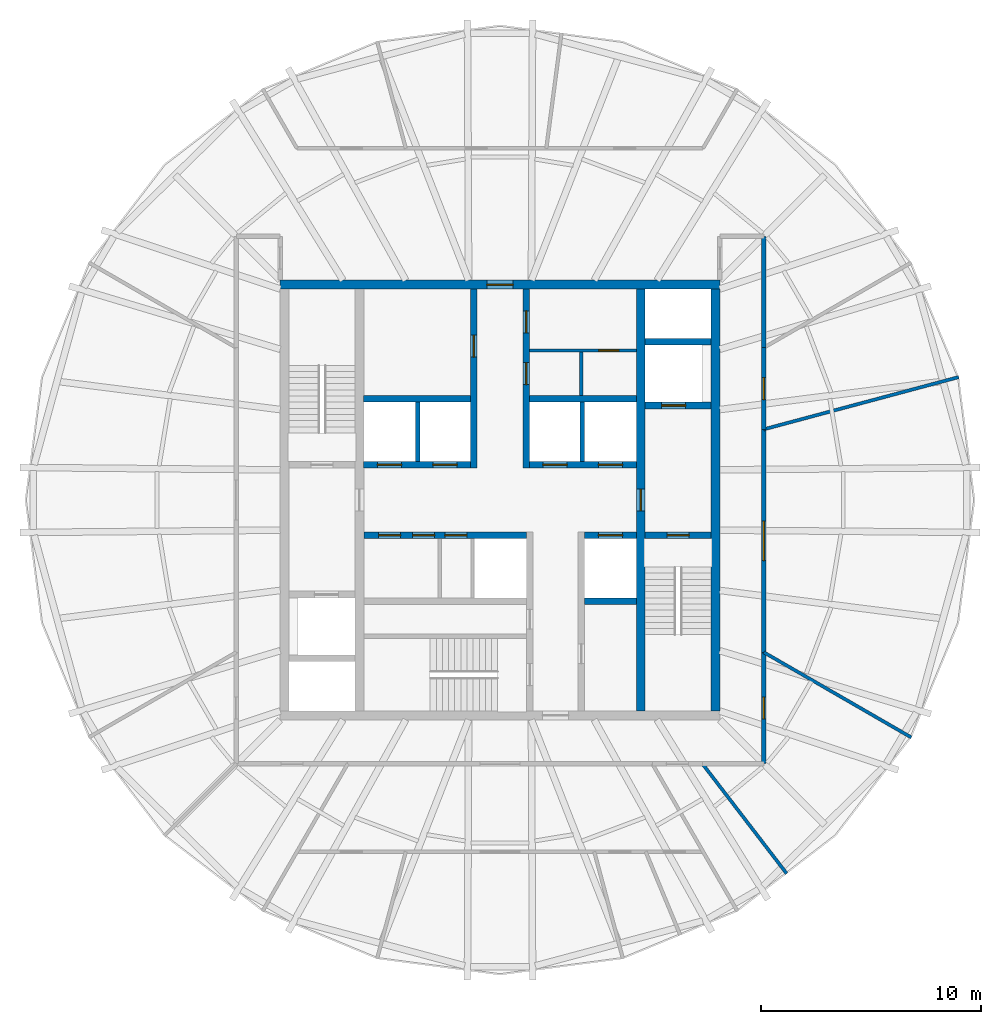
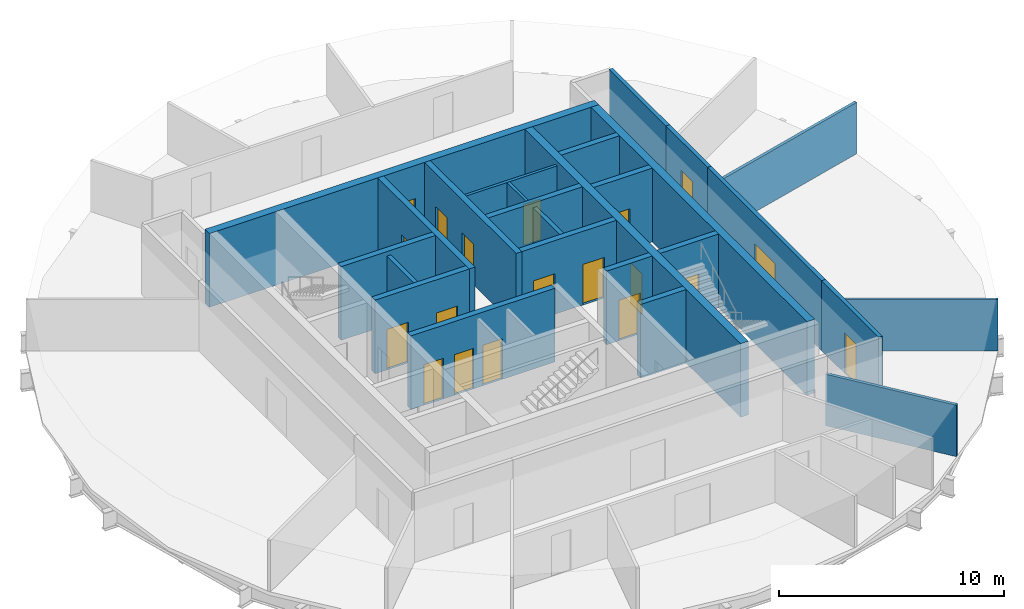
# One storey, part 4 of 6: 26 walls, 19 doors, 19 openings.
"""IFC4 building model written with IfcOpenShell, lengths in metres."""

from ifc_helpers import new_model, si_unit, direction, frame, frame_2d, origin, place, context, subcontext, project, spatial, rectangle, extrude, material, layer, layer_set, type_object, element, fill, save


model = new_model("IFC4")

# Units and contexts
model_context = context("Model", 3, precision=1e-05, world=origin(), true_north=direction((0.0, 1.0)))
body_context = subcontext(model_context, "Body", "Model", "MODEL_VIEW")
ifc_project = project(units=[si_unit("LENGTHUNIT", "METRE"), si_unit("AREAUNIT", "SQUARE_METRE"), si_unit("VOLUMEUNIT", "CUBIC_METRE"), si_unit("PLANEANGLEUNIT", "RADIAN"), si_unit("MASSUNIT", "GRAM", prefix="KILO")], contexts=[model_context])

# Site, building, storey
site_placement = place(None, origin())
site = spatial("IfcSite", under=ifc_project, at=site_placement, CompositionType="ELEMENT")
building_placement = place(site_placement, origin())
building = spatial("IfcBuilding", under=site, at=building_placement, Name="Golbaran Civic Tower", CompositionType="ELEMENT")
storey_placement = place(building_placement, frame((0.0, 0.0, 276.0)))
storey = spatial("IfcBuildingStorey", under=building, at=storey_placement, Name="L67", CompositionType="ELEMENT", Elevation=276.0)

# Wall, opening, door
ifc_material_1 = material(Name="Concrete block", Category="concrete")
ifc_layer_1 = layer(ifc_material_1, 0.14990234375, Name="Concrete block")
ifc_layer_set_1 = layer_set([ifc_layer_1], Name="Concrete block")
wall_type_1 = type_object("IfcWallType", Name="BLOCKWORK PARTITION 150", PredefinedType="PARTITIONING", material=ifc_layer_set_1)
wall_1_placement = place(storey_placement, frame((1.35009765625, 6.800048828125, 0.0), z_axis=(0.0, 0.0, 1.0), x_axis=(1.0, 0.0, 0.0)))
wall_1 = element("IfcWall", 1, at=wall_1_placement, inside=storey, type_object=wall_type_1, Name="Toilet block partition TN1 L67", PredefinedType="PARTITIONING", context=body_context, shape_type="SweptSolid", body=[
    extrude(rectangle(XDim=4.849853515625, YDim=0.14990234375, at=frame_2d((2.4248046875, 0.0))), origin(), (0.0, 0.0, 1.0), 3.75),
])
opening_1_placement = place(wall_1_placement, frame((3.14990234375, 0.0, 0.0)))
opening_1 = element("IfcOpeningElement", 2, at=opening_1_placement, cuts=wall_1, Name="Opening L67.CLN", PredefinedType="OPENING", context=body_context, shape_type="SweptSolid", body=[
    extrude(rectangle(XDim=0.89990234375, YDim=2.199951171875, at=frame_2d((0.449951171875, 1.10009765625))), frame((0.0, 0.0849609375, 0.0), z_axis=(0.0, -1.0, 0.0), x_axis=(1.0, 0.0, 0.0)), (0.0, 0.0, 1.0), 0.169921875),
])
ifc_material_2 = material(Name="Timber door set in steel frame", Category="steel")
door_type_1 = type_object("IfcDoorType", Name="RISER DOOR 900x2200", OperationType="SINGLE_SWING_LEFT", PredefinedType="DOOR", material=ifc_material_2)
door_1_placement = place(opening_1_placement, origin())
door_1 = element("IfcDoor", 3, at=door_1_placement, inside=storey, type_object=door_type_1, Name="Cleaner's Store door", OperationType="SINGLE_SWING_RIGHT", OverallHeight=2.199951171875, OverallWidth=0.89990234375, PredefinedType="DOOR", context=body_context, shape_type="SweptSolid", body=[
    extrude(rectangle(XDim=0.89990234375, YDim=2.199951171875, at=frame_2d((0.449951171875, 1.10009765625))), frame((0.0, 0.02490234375, 0.0), z_axis=(0.0, -1.0, 0.0), x_axis=(1.0, 0.0, 0.0)), (0.0, 0.0, 1.0), 0.050048828125),
])
fill(opening_1, door_1)

# Wall
wall_2_placement = place(storey_placement, frame((3.699951171875, 4.75, 0.0), z_axis=(0.0, 0.0, 1.0), x_axis=(0.0, 1.0, 0.0)))
element("IfcWall", 4, at=wall_2_placement, inside=storey, type_object=wall_type_1, Name="Toilet block partition TN2 L67", PredefinedType="PARTITIONING", context=body_context, shape_type="SweptSolid", body=[
    extrude(rectangle(XDim=1.97509765625, YDim=0.14990234375, at=frame_2d((0.987548828125, 0.0))), origin(), (0.0, 0.0, 1.0), 3.75),
])

# Wall, opening, door
ifc_material_3 = material(Name="Concrete C50/60", Category="concrete")
ifc_layer_2 = layer(ifc_material_3, 0.39990234375, Name="Concrete C50/60")
ifc_layer_set_2 = layer_set([ifc_layer_2], Name="Concrete C50/60")
wall_type_2 = type_object("IfcWallType", Name="CORE WALL CONCRETE 400", PredefinedType="SOLIDWALL", material=ifc_layer_set_2)
wall_3_placement = place(storey_placement, frame((-10.0, 9.800048828125, 0.0), z_axis=(0.0, 0.0, 1.0), x_axis=(1.0, 0.0, 0.0)))
wall_3 = element("IfcWall", 5, at=wall_3_placement, inside=storey, type_object=wall_type_2, Name="Core wall CN L67", PredefinedType="SOLIDWALL", context=body_context, shape_type="SweptSolid", body=[
    extrude(rectangle(XDim=20.0, YDim=0.39990234375, at=frame_2d((10.0, 0.0))), origin(), (0.0, 0.0, 1.0), 4.0),
])
opening_2_placement = place(wall_3_placement, frame((9.39990234375, 0.0, 0.0)))
opening_2 = element("IfcOpeningElement", 6, at=opening_2_placement, cuts=wall_3, Name="Opening L67.CN", PredefinedType="OPENING", context=body_context, shape_type="SweptSolid", body=[
    extrude(rectangle(XDim=1.199951171875, YDim=2.199951171875, at=frame_2d((0.60009765625, 1.10009765625))), frame((0.0, 0.2099609375, 0.0), z_axis=(0.0, -1.0, 0.0), x_axis=(1.0, 0.0, 0.0)), (0.0, 0.0, 1.0), 0.419921875),
])
door_type_2 = type_object("IfcDoorType", Name="CORE DOOR 1200x2200", OperationType="DOUBLE_DOOR_SINGLE_SWING", PredefinedType="DOOR", material=ifc_material_2)
door_2_placement = place(opening_2_placement, origin())
door_2 = element("IfcDoor", 7, at=door_2_placement, inside=storey, type_object=door_type_2, Name="Core door north", OperationType="DOUBLE_DOOR_SINGLE_SWING", OverallHeight=2.199951171875, OverallWidth=1.199951171875, PredefinedType="DOOR", context=body_context, shape_type="SweptSolid", body=[
    extrude(rectangle(XDim=1.199951171875, YDim=2.199951171875, at=frame_2d((0.60009765625, 1.10009765625))), frame((0.0, 0.02490234375, 0.0), z_axis=(0.0, -1.0, 0.0), x_axis=(1.0, 0.0, 0.0)), (0.0, 0.0, 1.0), 0.050048828125),
])
fill(opening_2, door_2)

# Wall
wall_4_placement = place(storey_placement, frame((9.800048828125, -9.60009765625, 0.0), z_axis=(0.0, 0.0, 1.0), x_axis=(0.0, 1.0, 0.0)))
element("IfcWall", 8, at=wall_4_placement, inside=storey, type_object=wall_type_2, Name="Core wall CE L67", PredefinedType="SOLIDWALL", context=body_context, shape_type="SweptSolid", body=[
    extrude(rectangle(XDim=19.2001953125, YDim=0.39990234375, at=frame_2d((9.60009765625, 0.0))), origin(), (0.0, 0.0, 1.0), 4.0),
])

# Wall, opening, door
wall_5_placement = place(storey_placement, frame((6.39990234375, 9.60009765625, 0.0), z_axis=(0.0, 0.0, 1.0), x_axis=(0.0, -1.0, 0.0)))
wall_5 = element("IfcWall", 9, at=wall_5_placement, inside=storey, type_object=wall_type_2, Name="Core wall IE L67", PredefinedType="SOLIDWALL", context=body_context, shape_type="SweptSolid", body=[
    extrude(rectangle(XDim=19.2001953125, YDim=0.39990234375, at=frame_2d((9.60009765625, 0.0))), origin(), (0.0, 0.0, 1.0), 4.0),
])
opening_3_placement = place(wall_5_placement, frame((9.10009765625, 0.0, 0.0)))
opening_3 = element("IfcOpeningElement", 10, at=opening_3_placement, cuts=wall_5, Name="Opening L67.FL2", PredefinedType="OPENING", context=body_context, shape_type="SweptSolid", body=[
    extrude(rectangle(XDim=1.0, YDim=2.199951171875, at=frame_2d((0.5, 1.10009765625))), frame((0.0, 0.2099609375, 0.0), z_axis=(0.0, -1.0, 0.0), x_axis=(1.0, 0.0, 0.0)), (0.0, 0.0, 1.0), 0.419921875),
])
door_type_3 = type_object("IfcDoorType", Name="STAIR DOOR 1000x2200", OperationType="SINGLE_SWING_LEFT", PredefinedType="DOOR", material=ifc_material_2)
door_3_placement = place(opening_3_placement, origin())
door_3 = element("IfcDoor", 11, at=door_3_placement, inside=storey, type_object=door_type_3, Name="Fire-fighting lobby FL2 door", OperationType="SINGLE_SWING_RIGHT", OverallHeight=2.199951171875, OverallWidth=1.0, PredefinedType="DOOR", context=body_context, shape_type="SweptSolid", body=[
    extrude(rectangle(XDim=1.0, YDim=2.199951171875, at=frame_2d((0.5, 1.10009765625))), frame((0.0, 0.02490234375, 0.0), z_axis=(0.0, -1.0, 0.0), x_axis=(1.0, 0.0, 0.0)), (0.0, 0.0, 1.0), 0.050048828125),
])
fill(opening_3, door_3)

ifc_material_4 = material(Name="Gypsum board on steel studs, fire-rated", Category="steel")
ifc_layer_3 = layer(ifc_material_4, 0.199951171875, Name="Gypsum board on steel studs, fire-rated")
ifc_layer_set_3 = layer_set([ifc_layer_3], Name="Gypsum board on steel studs, fire-rated")
wall_type_3 = type_object("IfcWallType", Name="CORRIDOR WALL 200", PredefinedType="PARTITIONING", material=ifc_layer_set_3)
wall_6_placement = place(storey_placement, frame((12.0, -6.92822265625, 0.0), z_axis=(0.0, 0.0, 1.0), x_axis=(0.0, 1.0, 0.0)))
wall_6 = element("IfcWall", 12, at=wall_6_placement, inside=storey, type_object=wall_type_3, Name="Corridor wall L67", PredefinedType="PARTITIONING", context=body_context, shape_type="SweptSolid", body=[
    extrude(rectangle(XDim=10.1435546875, YDim=0.199951171875, at=frame_2d((5.07177734375, 0.0))), origin(), (0.0, 0.0, 1.0), 3.800048828125),
])
opening_4_placement = place(wall_6_placement, frame((4.171875, 0.0, 0.0)))
opening_4 = element("IfcOpeningElement", 13, at=opening_4_placement, cuts=wall_6, Name="Opening L67.08", PredefinedType="OPENING", context=body_context, shape_type="SweptSolid", body=[
    extrude(rectangle(XDim=1.800048828125, YDim=2.199951171875, at=frame_2d((0.89990234375, 1.10009765625))), frame((0.0, 0.10986328125, 0.0), z_axis=(0.0, -1.0, 0.0), x_axis=(1.0, 0.0, 0.0)), (0.0, 0.0, 1.0), 0.219970703125),
])
door_type_4 = type_object("IfcDoorType", Name="OFFICE DOUBLE DOOR 1800x2200", OperationType="DOUBLE_DOOR_SINGLE_SWING", PredefinedType="DOOR", material=ifc_material_2)
door_4_placement = place(opening_4_placement, origin())
door_4 = element("IfcDoor", 14, at=door_4_placement, inside=storey, type_object=door_type_4, Name="Executive Dining Room door L67", OperationType="DOUBLE_DOOR_SINGLE_SWING", OverallHeight=2.199951171875, OverallWidth=1.800048828125, PredefinedType="DOOR", context=body_context, shape_type="SweptSolid", body=[
    extrude(rectangle(XDim=1.800048828125, YDim=2.199951171875, at=frame_2d((0.89990234375, 1.10009765625))), frame((0.0, 0.02490234375, 0.0), z_axis=(0.0, -1.0, 0.0), x_axis=(1.0, 0.0, 0.0)), (0.0, 0.0, 1.0), 0.050048828125),
])
fill(opening_4, door_4)

wall_7_placement = place(storey_placement, frame((12.0, 3.21533203125, 0.0), z_axis=(0.0, 0.0, 1.0), x_axis=(0.0, 1.0, 0.0)))
wall_7 = element("IfcWall", 15, at=wall_7_placement, inside=storey, type_object=wall_type_3, Name="Corridor wall L67", PredefinedType="PARTITIONING", context=body_context, shape_type="SweptSolid", body=[
    extrude(rectangle(XDim=3.712890625, YDim=0.199951171875, at=frame_2d((1.8564453125, 0.0))), origin(), (0.0, 0.0, 1.0), 3.800048828125),
])
opening_5_placement = place(wall_7_placement, frame((1.3564453125, 0.0, 0.0)))
opening_5 = element("IfcOpeningElement", 16, at=opening_5_placement, cuts=wall_7, Name="Opening L67.09", PredefinedType="OPENING", context=body_context, shape_type="SweptSolid", body=[
    extrude(rectangle(XDim=1.0, YDim=2.199951171875, at=frame_2d((0.5, 1.10009765625))), frame((0.0, 0.10986328125, 0.0), z_axis=(0.0, -1.0, 0.0), x_axis=(1.0, 0.0, 0.0)), (0.0, 0.0, 1.0), 0.219970703125),
])
door_type_5 = type_object("IfcDoorType", Name="OFFICE DOOR 1000x2200", OperationType="SINGLE_SWING_LEFT", PredefinedType="DOOR", material=ifc_material_2)
door_5_placement = place(opening_5_placement, origin())
door_5 = element("IfcDoor", 17, at=door_5_placement, inside=storey, type_object=door_type_5, Name="Serving Pantry door L67", OperationType="SINGLE_SWING_LEFT", OverallHeight=2.199951171875, OverallWidth=1.0, PredefinedType="DOOR", context=body_context, shape_type="SweptSolid", body=[
    extrude(rectangle(XDim=1.0, YDim=2.199951171875, at=frame_2d((0.5, 1.10009765625))), frame((0.0, 0.02490234375, 0.0), z_axis=(0.0, -1.0, 0.0), x_axis=(1.0, 0.0, 0.0)), (0.0, 0.0, 1.0), 0.050048828125),
])
fill(opening_5, door_5)

# Wall
wall_8_placement = place(storey_placement, frame((12.0, 6.92822265625, 0.0), z_axis=(0.0, 0.0, 1.0), x_axis=(0.0, 1.0, 0.0)))
element("IfcWall", 18, at=wall_8_placement, inside=storey, type_object=wall_type_3, Name="Corridor wall L67", PredefinedType="PARTITIONING", context=body_context, shape_type="SweptSolid", body=[
    extrude(rectangle(XDim=5.07177734375, YDim=0.199951171875, at=frame_2d((2.535888671875, 0.0))), origin(), (0.0, 0.0, 1.0), 3.800048828125),
])

# Wall, opening, door
wall_9_placement = place(storey_placement, frame((12.0, -12.0, 0.0), z_axis=(0.0, 0.0, 1.0), x_axis=(0.0, 1.0, 0.0)))
wall_9 = element("IfcWall", 19, at=wall_9_placement, inside=storey, type_object=wall_type_3, Name="Corridor wall L67", PredefinedType="PARTITIONING", context=body_context, shape_type="SweptSolid", body=[
    extrude(rectangle(XDim=5.07177734375, YDim=0.199951171875, at=frame_2d((2.535888671875, 0.0))), origin(), (0.0, 0.0, 1.0), 3.800048828125),
])
opening_6_placement = place(wall_9_placement, frame((2.035888671875, 0.0, 0.0)))
opening_6 = element("IfcOpeningElement", 20, at=opening_6_placement, cuts=wall_9, Name="Opening L67.15", PredefinedType="OPENING", context=body_context, shape_type="SweptSolid", body=[
    extrude(rectangle(XDim=1.0, YDim=2.199951171875, at=frame_2d((0.5, 1.10009765625))), frame((0.0, 0.10986328125, 0.0), z_axis=(0.0, -1.0, 0.0), x_axis=(1.0, 0.0, 0.0)), (0.0, 0.0, 1.0), 0.219970703125),
])
door_6_placement = place(opening_6_placement, origin())
door_6 = element("IfcDoor", 21, at=door_6_placement, inside=storey, type_object=door_type_5, Name="Print and Copy Room door L67", OperationType="SINGLE_SWING_LEFT", OverallHeight=2.199951171875, OverallWidth=1.0, PredefinedType="DOOR", context=body_context, shape_type="SweptSolid", body=[
    extrude(rectangle(XDim=1.0, YDim=2.199951171875, at=frame_2d((0.5, 1.10009765625))), frame((0.0, 0.02490234375, 0.0), z_axis=(0.0, -1.0, 0.0), x_axis=(1.0, 0.0, 0.0)), (0.0, 0.0, 1.0), 0.050048828125),
])
fill(opening_6, door_6)

# Walls
ifc_layer_4 = layer(ifc_material_1, 0.199951171875, Name="Concrete block")
ifc_layer_set_4 = layer_set([ifc_layer_4], Name="Concrete block")
wall_type_4 = type_object("IfcWallType", Name="LIFT SEPARATOR WALL 200", PredefinedType="SOLIDWALL", material=ifc_layer_set_4)
for number, where, z_axis, x_axis, name in (
    (22, (-3.75, 1.75, 0.0), (0.0, 0.0, 1.0), (0.0, 1.0, 0.0), "Core partition SNW L67"),
    (23, (3.75, 1.75, 0.0), (0.0, 0.0, 1.0), (0.0, 1.0, 0.0), "Core partition SNE L67"),
):
    element("IfcWall", number, at=place(storey_placement, frame(where, z_axis=z_axis, x_axis=x_axis)), inside=storey, type_object=wall_type_4, Name=name, PredefinedType="SOLIDWALL", context=body_context, shape_type="SweptSolid", body=[
        extrude(rectangle(XDim=2.699951171875, YDim=0.199951171875, at=frame_2d((1.35009765625, 0.0))), origin(), (0.0, 0.0, 1.0), 3.75),
    ])
ifc_material_5 = material(Name="Gypsum board on steel studs", Category="steel")
ifc_layer_5 = layer(ifc_material_5, 0.14990234375, Name="Gypsum board on steel studs")
ifc_layer_set_5 = layer_set([ifc_layer_5], Name="Gypsum board on steel studs")
wall_type_5 = type_object("IfcWallType", Name="OFFICE PARTITION 150", PredefinedType="PARTITIONING", material=ifc_layer_set_5)
wall_10_placement = place(storey_placement, frame((12.0, -6.92822265625, 0.0), z_axis=(0.0, 0.0, 1.0), x_axis=(0.866025099701, -0.500000526688, 0.0)))
element("IfcWall", 24, at=wall_10_placement, inside=storey, type_object=wall_type_5, Name="Partition 330 L67", PredefinedType="PARTITIONING", context=body_context, shape_type="SweptSolid", body=[
    extrude(rectangle(XDim=7.751953125, YDim=0.14990234375, at=frame_2d((3.8759765625, 0.0))), origin(), (0.0, 0.0, 1.0), 2.7900390625),
])
wall_11_placement = place(storey_placement, frame((12.0, 3.21533203125, 0.0), z_axis=(0.0, 0.0, 1.0), x_axis=(0.965925864192, 0.258818903647, 0.0)))
element("IfcWall", 25, at=wall_11_placement, inside=storey, type_object=wall_type_5, Name="Partition 15 L67", PredefinedType="PARTITIONING", context=body_context, shape_type="SweptSolid", body=[
    extrude(rectangle(XDim=9.184814453125, YDim=0.14990234375, at=frame_2d((4.59228515625, 0.0))), origin(), (0.0, 0.0, 1.0), 2.7900390625),
])
wall_12_placement = place(storey_placement, frame((9.2080078125, -12.0, 0.0), z_axis=(0.0, 0.0, 1.0), x_axis=(0.608752966797, -0.793359833503, 0.0)))
element("IfcWall", 26, at=wall_12_placement, inside=storey, type_object=wall_type_5, Name="Partition 307.5 L67", PredefinedType="PARTITIONING", context=body_context, shape_type="SweptSolid", body=[
    extrude(rectangle(XDim=6.297607421875, YDim=0.14990234375, at=frame_2d((3.14892578125, 0.0))), origin(), (0.0, 0.0, 1.0), 2.7900390625),
])

# Wall, openings, doors
ifc_layer_6 = layer(ifc_material_3, 0.300048828125, Name="Concrete C50/60")
ifc_layer_set_6 = layer_set([ifc_layer_6], Name="Concrete C50/60")
wall_type_6 = type_object("IfcWallType", Name="SHAFT WALL CONCRETE 300", PredefinedType="SOLIDWALL", material=ifc_layer_set_6)
wall_13_placement = place(storey_placement, frame((-6.199951171875, 1.60009765625, 0.0), z_axis=(0.0, 0.0, 1.0), x_axis=(1.0, 0.0, 0.0)))
wall_13 = element("IfcWall", 27, at=wall_13_placement, inside=storey, type_object=wall_type_6, Name="Core wall FNW L67", PredefinedType="SOLIDWALL", context=body_context, shape_type="SweptSolid", body=[
    extrude(rectangle(XDim=4.849853515625, YDim=0.300048828125, at=frame_2d((2.4248046875, 0.0))), origin(), (0.0, 0.0, 1.0), 4.0),
])
opening_7_placement = place(wall_13_placement, frame((0.625, 0.0, 0.0)))
opening_7 = element("IfcOpeningElement", 28, at=opening_7_placement, cuts=wall_13, Name="Opening L67.LD-Z1T", PredefinedType="OPENING", context=body_context, shape_type="SweptSolid", body=[
    extrude(rectangle(XDim=1.10009765625, YDim=2.199951171875, at=frame_2d((0.550048828125, 1.10009765625))), frame((0.0, 0.159912109375, 0.0), z_axis=(0.0, -1.0, 0.0), x_axis=(1.0, 0.0, 0.0)), (0.0, 0.0, 1.0), 0.320068359375),
])
opening_8_placement = place(wall_13_placement, frame((3.14990234375, 0.0, 0.0)))
opening_8 = element("IfcOpeningElement", 29, at=opening_8_placement, cuts=wall_13, Name="Opening L67.LD-Z2T", PredefinedType="OPENING", context=body_context, shape_type="SweptSolid", body=[
    extrude(rectangle(XDim=1.10009765625, YDim=2.199951171875, at=frame_2d((0.550048828125, 1.10009765625))), frame((0.0, 0.159912109375, 0.0), z_axis=(0.0, -1.0, 0.0), x_axis=(1.0, 0.0, 0.0)), (0.0, 0.0, 1.0), 0.320068359375),
])
ifc_material_6 = material(Name="Stainless steel", Category="steel")
door_type_6 = type_object("IfcDoorType", Name="LIFT LANDING DOOR 1100x2200", OperationType="SLIDING_TO_LEFT", PredefinedType="DOOR", material=ifc_material_6)
door_7_placement = place(opening_7_placement, origin())
door_7 = element("IfcDoor", 30, at=door_7_placement, inside=storey, type_object=door_type_6, Name="Lift landing door Z1T", OperationType="SLIDING_TO_LEFT", OverallHeight=2.199951171875, OverallWidth=1.10009765625, PredefinedType="DOOR", context=body_context, shape_type="SweptSolid", body=[
    extrude(rectangle(XDim=1.10009765625, YDim=2.199951171875, at=frame_2d((0.550048828125, 1.10009765625))), frame((0.0, 0.02490234375, 0.0), z_axis=(0.0, -1.0, 0.0), x_axis=(1.0, 0.0, 0.0)), (0.0, 0.0, 1.0), 0.050048828125),
])
fill(opening_7, door_7)
door_8_placement = place(opening_8_placement, origin())
door_8 = element("IfcDoor", 31, at=door_8_placement, inside=storey, type_object=door_type_6, Name="Lift landing door Z2T", OperationType="SLIDING_TO_LEFT", OverallHeight=2.199951171875, OverallWidth=1.10009765625, PredefinedType="DOOR", context=body_context, shape_type="SweptSolid", body=[
    extrude(rectangle(XDim=1.10009765625, YDim=2.199951171875, at=frame_2d((0.550048828125, 1.10009765625))), frame((0.0, 0.02490234375, 0.0), z_axis=(0.0, -1.0, 0.0), x_axis=(1.0, 0.0, 0.0)), (0.0, 0.0, 1.0), 0.050048828125),
])
fill(opening_8, door_8)

wall_14_placement = place(storey_placement, frame((1.35009765625, 1.60009765625, 0.0), z_axis=(0.0, 0.0, 1.0), x_axis=(1.0, 0.0, 0.0)))
wall_14 = element("IfcWall", 32, at=wall_14_placement, inside=storey, type_object=wall_type_6, Name="Core wall FNE L67", PredefinedType="SOLIDWALL", context=body_context, shape_type="SweptSolid", body=[
    extrude(rectangle(XDim=4.849853515625, YDim=0.300048828125, at=frame_2d((2.4248046875, 0.0))), origin(), (0.0, 0.0, 1.0), 4.0),
])
opening_9_placement = place(wall_14_placement, frame((0.60009765625, 0.0, 0.0)))
opening_9 = element("IfcOpeningElement", 33, at=opening_9_placement, cuts=wall_14, Name="Opening L67.LD-Z3T", PredefinedType="OPENING", context=body_context, shape_type="SweptSolid", body=[
    extrude(rectangle(XDim=1.10009765625, YDim=2.199951171875, at=frame_2d((0.550048828125, 1.10009765625))), frame((0.0, 0.159912109375, 0.0), z_axis=(0.0, -1.0, 0.0), x_axis=(1.0, 0.0, 0.0)), (0.0, 0.0, 1.0), 0.320068359375),
])
opening_10_placement = place(wall_14_placement, frame((3.125, 0.0, 0.0)))
opening_10 = element("IfcOpeningElement", 34, at=opening_10_placement, cuts=wall_14, Name="Opening L67.LD-Z4T", PredefinedType="OPENING", context=body_context, shape_type="SweptSolid", body=[
    extrude(rectangle(XDim=1.10009765625, YDim=2.199951171875, at=frame_2d((0.550048828125, 1.10009765625))), frame((0.0, 0.159912109375, 0.0), z_axis=(0.0, -1.0, 0.0), x_axis=(1.0, 0.0, 0.0)), (0.0, 0.0, 1.0), 0.320068359375),
])
door_9_placement = place(opening_9_placement, origin())
door_9 = element("IfcDoor", 35, at=door_9_placement, inside=storey, type_object=door_type_6, Name="Lift landing door Z3T", OperationType="SLIDING_TO_LEFT", OverallHeight=2.199951171875, OverallWidth=1.10009765625, PredefinedType="DOOR", context=body_context, shape_type="SweptSolid", body=[
    extrude(rectangle(XDim=1.10009765625, YDim=2.199951171875, at=frame_2d((0.550048828125, 1.10009765625))), frame((0.0, 0.02490234375, 0.0), z_axis=(0.0, -1.0, 0.0), x_axis=(1.0, 0.0, 0.0)), (0.0, 0.0, 1.0), 0.050048828125),
])
fill(opening_9, door_9)
door_10_placement = place(opening_10_placement, origin())
door_10 = element("IfcDoor", 36, at=door_10_placement, inside=storey, type_object=door_type_6, Name="Lift landing door Z4T", OperationType="SLIDING_TO_LEFT", OverallHeight=2.199951171875, OverallWidth=1.10009765625, PredefinedType="DOOR", context=body_context, shape_type="SweptSolid", body=[
    extrude(rectangle(XDim=1.10009765625, YDim=2.199951171875, at=frame_2d((0.550048828125, 1.10009765625))), frame((0.0, 0.02490234375, 0.0), z_axis=(0.0, -1.0, 0.0), x_axis=(1.0, 0.0, 0.0)), (0.0, 0.0, 1.0), 0.050048828125),
])
fill(opening_10, door_10)

# Walls
for number, where, z_axis, x_axis, name in (
    (37, (-6.199951171875, 4.60009765625, 0.0), (0.0, 0.0, 1.0), (1.0, 0.0, 0.0), "Core wall BNW L67"),
    (38, (1.35009765625, 4.60009765625, 0.0), (0.0, 0.0, 1.0), (1.0, 0.0, 0.0), "Core wall BNE L67"),
):
    element("IfcWall", number, at=place(storey_placement, frame(where, z_axis=z_axis, x_axis=x_axis)), inside=storey, type_object=wall_type_6, Name=name, PredefinedType="SOLIDWALL", context=body_context, shape_type="SweptSolid", body=[
        extrude(rectangle(XDim=4.849853515625, YDim=0.300048828125, at=frame_2d((2.4248046875, 0.0))), origin(), (0.0, 0.0, 1.0), 4.0),
    ])

# Wall, opening, door
wall_15_placement = place(storey_placement, frame((-1.199951171875, 1.449951171875, 0.0), z_axis=(0.0, 0.0, 1.0), x_axis=(0.0, 1.0, 0.0)))
wall_15 = element("IfcWall", 39, at=wall_15_placement, inside=storey, type_object=wall_type_6, Name="Core wall PNW L67", PredefinedType="SOLIDWALL", context=body_context, shape_type="SweptSolid", body=[
    extrude(rectangle(XDim=8.150146484375, YDim=0.300048828125, at=frame_2d((4.0751953125, 0.0))), origin(), (0.0, 0.0, 1.0), 4.0),
])
opening_11_placement = place(wall_15_placement, frame((5.050048828125, 0.0, 0.0)))
opening_11 = element("IfcOpeningElement", 40, at=opening_11_placement, cuts=wall_15, Name="Opening L67.WCM", PredefinedType="OPENING", context=body_context, shape_type="SweptSolid", body=[
    extrude(rectangle(XDim=1.0, YDim=2.199951171875, at=frame_2d((0.5, 1.10009765625))), frame((0.0, 0.159912109375, 0.0), z_axis=(0.0, -1.0, 0.0), x_axis=(1.0, 0.0, 0.0)), (0.0, 0.0, 1.0), 0.320068359375),
])
door_type_7 = type_object("IfcDoorType", Name="TOILET DOOR 1000x2200", OperationType="SINGLE_SWING_LEFT", PredefinedType="DOOR", material=ifc_material_2)
door_11_placement = place(opening_11_placement, origin())
door_11 = element("IfcDoor", 41, at=door_11_placement, inside=storey, type_object=door_type_7, Name="North-west toilet block door", OperationType="SINGLE_SWING_RIGHT", OverallHeight=2.199951171875, OverallWidth=1.0, PredefinedType="DOOR", context=body_context, shape_type="SweptSolid", body=[
    extrude(rectangle(XDim=1.0, YDim=2.199951171875, at=frame_2d((0.5, 1.10009765625))), frame((0.0, 0.02490234375, 0.0), z_axis=(0.0, -1.0, 0.0), x_axis=(1.0, 0.0, 0.0)), (0.0, 0.0, 1.0), 0.050048828125),
])
fill(opening_11, door_11)

# Wall, openings, doors
wall_16_placement = place(storey_placement, frame((1.199951171875, 1.449951171875, 0.0), z_axis=(0.0, 0.0, 1.0), x_axis=(0.0, 1.0, 0.0)))
wall_16 = element("IfcWall", 42, at=wall_16_placement, inside=storey, type_object=wall_type_6, Name="Core wall PNE L67", PredefinedType="SOLIDWALL", context=body_context, shape_type="SweptSolid", body=[
    extrude(rectangle(XDim=8.150146484375, YDim=0.300048828125, at=frame_2d((4.0751953125, 0.0))), origin(), (0.0, 0.0, 1.0), 4.0),
])
opening_12_placement = place(wall_16_placement, frame((3.800048828125, 0.0, 0.0)))
opening_12 = element("IfcOpeningElement", 43, at=opening_12_placement, cuts=wall_16, Name="Opening L67.WCA", PredefinedType="OPENING", context=body_context, shape_type="SweptSolid", body=[
    extrude(rectangle(XDim=1.0, YDim=2.199951171875, at=frame_2d((0.5, 1.10009765625))), frame((0.0, 0.159912109375, 0.0), z_axis=(0.0, -1.0, 0.0), x_axis=(1.0, 0.0, 0.0)), (0.0, 0.0, 1.0), 0.320068359375),
])
opening_13_placement = place(wall_16_placement, frame((6.14990234375, 0.0, 0.0)))
opening_13 = element("IfcOpeningElement", 44, at=opening_13_placement, cuts=wall_16, Name="Opening L67.WCF", PredefinedType="OPENING", context=body_context, shape_type="SweptSolid", body=[
    extrude(rectangle(XDim=1.0, YDim=2.199951171875, at=frame_2d((0.5, 1.10009765625))), frame((0.0, 0.159912109375, 0.0), z_axis=(0.0, -1.0, 0.0), x_axis=(1.0, 0.0, 0.0)), (0.0, 0.0, 1.0), 0.320068359375),
])
door_12_placement = place(opening_12_placement, origin())
door_12 = element("IfcDoor", 45, at=door_12_placement, inside=storey, type_object=door_type_7, Name="Accessible WC door", OperationType="SINGLE_SWING_RIGHT", OverallHeight=2.199951171875, OverallWidth=1.0, PredefinedType="DOOR", context=body_context, shape_type="SweptSolid", body=[
    extrude(rectangle(XDim=1.0, YDim=2.199951171875, at=frame_2d((0.5, 1.10009765625))), frame((0.0, 0.02490234375, 0.0), z_axis=(0.0, -1.0, 0.0), x_axis=(1.0, 0.0, 0.0)), (0.0, 0.0, 1.0), 0.050048828125),
])
fill(opening_12, door_12)
door_13_placement = place(opening_13_placement, origin())
door_13 = element("IfcDoor", 46, at=door_13_placement, inside=storey, type_object=door_type_7, Name="North-east toilet block door", OperationType="SINGLE_SWING_RIGHT", OverallHeight=2.199951171875, OverallWidth=1.0, PredefinedType="DOOR", context=body_context, shape_type="SweptSolid", body=[
    extrude(rectangle(XDim=1.0, YDim=2.199951171875, at=frame_2d((0.5, 1.10009765625))), frame((0.0, 0.02490234375, 0.0), z_axis=(0.0, -1.0, 0.0), x_axis=(1.0, 0.0, 0.0)), (0.0, 0.0, 1.0), 0.050048828125),
])
fill(opening_13, door_13)

wall_17_placement = place(storey_placement, frame((-6.199951171875, -1.60009765625, 0.0), z_axis=(0.0, 0.0, 1.0), x_axis=(1.0, 0.0, 0.0)))
wall_17 = element("IfcWall", 47, at=wall_17_placement, inside=storey, type_object=wall_type_6, Name="Core wall FSW L67", PredefinedType="SOLIDWALL", context=body_context, shape_type="SweptSolid", body=[
    extrude(rectangle(XDim=7.39990234375, YDim=0.300048828125, at=frame_2d((3.699951171875, 0.0))), origin(), (0.0, 0.0, 1.0), 4.0),
])
opening_14_placement = place(wall_17_placement, frame((0.675048828125, 0.0, 0.0)))
opening_14 = element("IfcOpeningElement", 48, at=opening_14_placement, cuts=wall_17, Name="Opening L67.H1R", PredefinedType="OPENING", context=body_context, shape_type="SweptSolid", body=[
    extrude(rectangle(XDim=1.0, YDim=2.199951171875, at=frame_2d((0.5, 1.10009765625))), frame((0.0, 0.159912109375, 0.0), z_axis=(0.0, -1.0, 0.0), x_axis=(1.0, 0.0, 0.0)), (0.0, 0.0, 1.0), 0.320068359375),
])
opening_15_placement = place(wall_17_placement, frame((2.22509765625, 0.0, 0.0)))
opening_15 = element("IfcOpeningElement", 49, at=opening_15_placement, cuts=wall_17, Name="Opening L67.H2R", PredefinedType="OPENING", context=body_context, shape_type="SweptSolid", body=[
    extrude(rectangle(XDim=1.0, YDim=2.199951171875, at=frame_2d((0.5, 1.10009765625))), frame((0.0, 0.159912109375, 0.0), z_axis=(0.0, -1.0, 0.0), x_axis=(1.0, 0.0, 0.0)), (0.0, 0.0, 1.0), 0.320068359375),
])
opening_16_placement = place(wall_17_placement, frame((3.695068359375, 0.0, 0.0)))
opening_16 = element("IfcOpeningElement", 50, at=opening_16_placement, cuts=wall_17, Name="Opening L67.H3R", PredefinedType="OPENING", context=body_context, shape_type="SweptSolid", body=[
    extrude(rectangle(XDim=1.0, YDim=2.199951171875, at=frame_2d((0.5, 1.10009765625))), frame((0.0, 0.159912109375, 0.0), z_axis=(0.0, -1.0, 0.0), x_axis=(1.0, 0.0, 0.0)), (0.0, 0.0, 1.0), 0.320068359375),
])
door_type_8 = type_object("IfcDoorType", Name="CORE ROOM DOOR 1000x2200", OperationType="SINGLE_SWING_LEFT", PredefinedType="DOOR", material=ifc_material_2)
door_14_placement = place(opening_14_placement, origin())
door_14 = element("IfcDoor", 51, at=door_14_placement, inside=storey, type_object=door_type_8, Name="Vending and Pantry Room door", OperationType="SINGLE_SWING_LEFT", OverallHeight=2.199951171875, OverallWidth=1.0, PredefinedType="DOOR", context=body_context, shape_type="SweptSolid", body=[
    extrude(rectangle(XDim=1.0, YDim=2.199951171875, at=frame_2d((0.5, 1.10009765625))), frame((0.0, 0.02490234375, 0.0), z_axis=(0.0, -1.0, 0.0), x_axis=(1.0, 0.0, 0.0)), (0.0, 0.0, 1.0), 0.050048828125),
])
fill(opening_14, door_14)
door_15_placement = place(opening_15_placement, origin())
door_15 = element("IfcDoor", 52, at=door_15_placement, inside=storey, type_object=door_type_8, Name="Vending and Pantry Room door", OperationType="SINGLE_SWING_LEFT", OverallHeight=2.199951171875, OverallWidth=1.0, PredefinedType="DOOR", context=body_context, shape_type="SweptSolid", body=[
    extrude(rectangle(XDim=1.0, YDim=2.199951171875, at=frame_2d((0.5, 1.10009765625))), frame((0.0, 0.02490234375, 0.0), z_axis=(0.0, -1.0, 0.0), x_axis=(1.0, 0.0, 0.0)), (0.0, 0.0, 1.0), 0.050048828125),
])
fill(opening_15, door_15)
door_16_placement = place(opening_16_placement, origin())
door_16 = element("IfcDoor", 53, at=door_16_placement, inside=storey, type_object=door_type_8, Name="Housekeeping Store door", OperationType="SINGLE_SWING_RIGHT", OverallHeight=2.199951171875, OverallWidth=1.0, PredefinedType="DOOR", context=body_context, shape_type="SweptSolid", body=[
    extrude(rectangle(XDim=1.0, YDim=2.199951171875, at=frame_2d((0.5, 1.10009765625))), frame((0.0, 0.02490234375, 0.0), z_axis=(0.0, -1.0, 0.0), x_axis=(1.0, 0.0, 0.0)), (0.0, 0.0, 1.0), 0.050048828125),
])
fill(opening_16, door_16)

# Wall, opening, door
wall_18_placement = place(storey_placement, frame((3.85009765625, -1.60009765625, 0.0), z_axis=(0.0, 0.0, 1.0), x_axis=(1.0, 0.0, 0.0)))
wall_18 = element("IfcWall", 54, at=wall_18_placement, inside=storey, type_object=wall_type_6, Name="Core wall FSE L67", PredefinedType="SOLIDWALL", context=body_context, shape_type="SweptSolid", body=[
    extrude(rectangle(XDim=2.349853515625, YDim=0.300048828125, at=frame_2d((1.1748046875, 0.0))), origin(), (0.0, 0.0, 1.0), 4.0),
])
opening_17_placement = place(wall_18_placement, frame((0.625, 0.0, 0.0)))
opening_17 = element("IfcOpeningElement", 55, at=opening_17_placement, cuts=wall_18, Name="Opening L67.LD-V1", PredefinedType="OPENING", context=body_context, shape_type="SweptSolid", body=[
    extrude(rectangle(XDim=1.10009765625, YDim=2.199951171875, at=frame_2d((0.550048828125, 1.10009765625))), frame((0.0, 0.159912109375, 0.0), z_axis=(0.0, -1.0, 0.0), x_axis=(1.0, 0.0, 0.0)), (0.0, 0.0, 1.0), 0.320068359375),
])
door_17_placement = place(opening_17_placement, origin())
door_17 = element("IfcDoor", 56, at=door_17_placement, inside=storey, type_object=door_type_6, Name="Lift landing door V1", OperationType="SLIDING_TO_LEFT", OverallHeight=2.199951171875, OverallWidth=1.10009765625, PredefinedType="DOOR", context=body_context, shape_type="SweptSolid", body=[
    extrude(rectangle(XDim=1.10009765625, YDim=2.199951171875, at=frame_2d((0.550048828125, 1.10009765625))), frame((0.0, 0.02490234375, 0.0), z_axis=(0.0, -1.0, 0.0), x_axis=(1.0, 0.0, 0.0)), (0.0, 0.0, 1.0), 0.050048828125),
])
fill(opening_17, door_17)

# Wall
wall_19_placement = place(storey_placement, frame((3.85009765625, -4.60009765625, 0.0), z_axis=(0.0, 0.0, 1.0), x_axis=(1.0, 0.0, 0.0)))
element("IfcWall", 57, at=wall_19_placement, inside=storey, type_object=wall_type_6, Name="Core wall BSE L67", PredefinedType="SOLIDWALL", context=body_context, shape_type="SweptSolid", body=[
    extrude(rectangle(XDim=2.349853515625, YDim=0.300048828125, at=frame_2d((1.1748046875, 0.0))), origin(), (0.0, 0.0, 1.0), 4.0),
])

# Wall, opening, door
wall_20_placement = place(storey_placement, frame((6.60009765625, -1.60009765625, 0.0), z_axis=(0.0, 0.0, 1.0), x_axis=(1.0, 0.0, 0.0)))
wall_20 = element("IfcWall", 58, at=wall_20_placement, inside=storey, type_object=wall_type_6, Name="Core wall XE1 L67", PredefinedType="SOLIDWALL", context=body_context, shape_type="SweptSolid", body=[
    extrude(rectangle(XDim=3.0, YDim=0.300048828125, at=frame_2d((1.5, 0.0))), origin(), (0.0, 0.0, 1.0), 4.0),
])
opening_18_placement = place(wall_20_placement, frame((1.0, 0.0, 0.0)))
opening_18 = element("IfcOpeningElement", 59, at=opening_18_placement, cuts=wall_20, Name="Opening L67.S2", PredefinedType="OPENING", context=body_context, shape_type="SweptSolid", body=[
    extrude(rectangle(XDim=1.0, YDim=2.199951171875, at=frame_2d((0.5, 1.10009765625))), frame((0.0, 0.159912109375, 0.0), z_axis=(0.0, -1.0, 0.0), x_axis=(1.0, 0.0, 0.0)), (0.0, 0.0, 1.0), 0.320068359375),
])
door_18_placement = place(opening_18_placement, origin())
door_18 = element("IfcDoor", 60, at=door_18_placement, inside=storey, type_object=door_type_3, Name="Stair S2 door", OperationType="SINGLE_SWING_LEFT", OverallHeight=2.199951171875, OverallWidth=1.0, PredefinedType="DOOR", context=body_context, shape_type="SweptSolid", body=[
    extrude(rectangle(XDim=1.0, YDim=2.199951171875, at=frame_2d((0.5, 1.10009765625))), frame((0.0, 0.02490234375, 0.0), z_axis=(0.0, -1.0, 0.0), x_axis=(1.0, 0.0, 0.0)), (0.0, 0.0, 1.0), 0.050048828125),
])
fill(opening_18, door_18)

wall_21_placement = place(storey_placement, frame((6.60009765625, 4.300048828125, 0.0), z_axis=(0.0, 0.0, 1.0), x_axis=(1.0, 0.0, 0.0)))
wall_21 = element("IfcWall", 61, at=wall_21_placement, inside=storey, type_object=wall_type_6, Name="Core wall XE2 L67", PredefinedType="SOLIDWALL", context=body_context, shape_type="SweptSolid", body=[
    extrude(rectangle(XDim=3.0, YDim=0.300048828125, at=frame_2d((1.5, 0.0))), origin(), (0.0, 0.0, 1.0), 4.0),
])
opening_19_placement = place(wall_21_placement, frame((0.75, 0.0, 0.0)))
opening_19 = element("IfcOpeningElement", 62, at=opening_19_placement, cuts=wall_21, Name="Opening L67.LD-F2", PredefinedType="OPENING", context=body_context, shape_type="SweptSolid", body=[
    extrude(rectangle(XDim=1.10009765625, YDim=2.199951171875, at=frame_2d((0.550048828125, 1.10009765625))), frame((0.0, 0.159912109375, 0.0), z_axis=(0.0, -1.0, 0.0), x_axis=(1.0, 0.0, 0.0)), (0.0, 0.0, 1.0), 0.320068359375),
])
door_19_placement = place(opening_19_placement, origin())
door_19 = element("IfcDoor", 63, at=door_19_placement, inside=storey, type_object=door_type_6, Name="Lift landing door F2", OperationType="SLIDING_TO_LEFT", OverallHeight=2.199951171875, OverallWidth=1.10009765625, PredefinedType="DOOR", context=body_context, shape_type="SweptSolid", body=[
    extrude(rectangle(XDim=1.10009765625, YDim=2.199951171875, at=frame_2d((0.550048828125, 1.10009765625))), frame((0.0, 0.02490234375, 0.0), z_axis=(0.0, -1.0, 0.0), x_axis=(1.0, 0.0, 0.0)), (0.0, 0.0, 1.0), 0.050048828125),
])
fill(opening_19, door_19)

# Wall
wall_22_placement = place(storey_placement, frame((6.60009765625, 7.199951171875, 0.0), z_axis=(0.0, 0.0, 1.0), x_axis=(1.0, 0.0, 0.0)))
element("IfcWall", 64, at=wall_22_placement, inside=storey, type_object=wall_type_6, Name="Core wall XE3 L67", PredefinedType="SOLIDWALL", context=body_context, shape_type="SweptSolid", body=[
    extrude(rectangle(XDim=3.0, YDim=0.300048828125, at=frame_2d((1.5, 0.0))), origin(), (0.0, 0.0, 1.0), 4.0),
])

save(model, "model.ifc")
